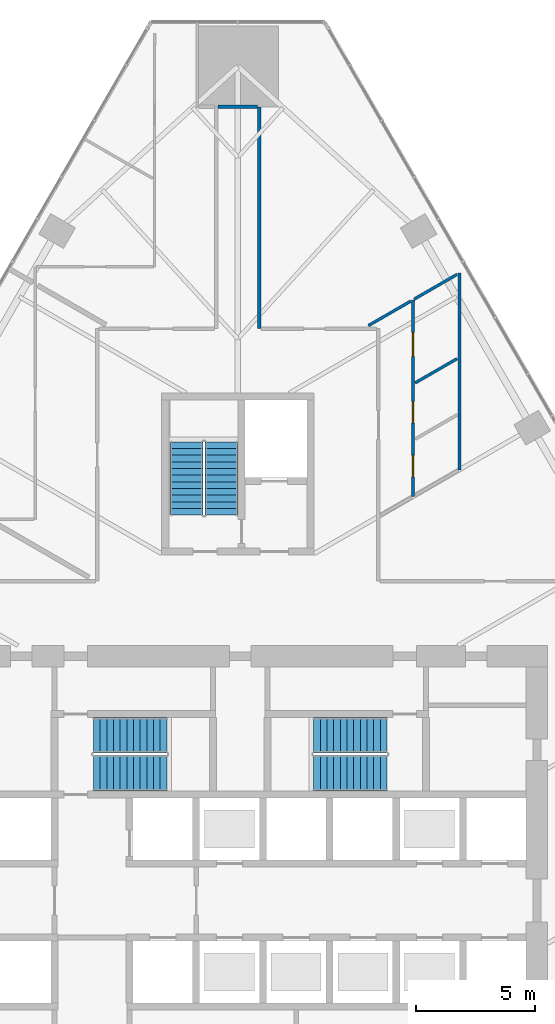
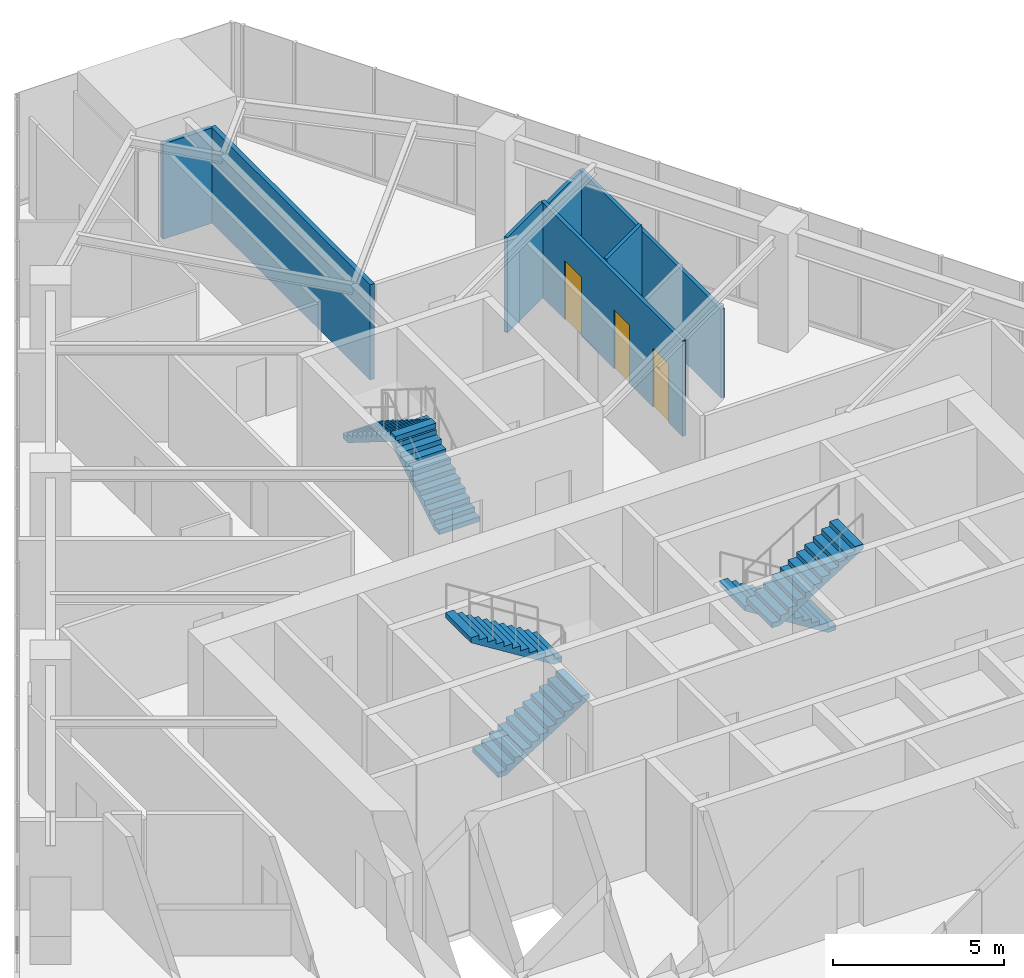
# One storey, part 24 of 26: 7 walls, 6 stair flights, 3 doors, 3 openings, 3 elements without a shape of their own.
"""IFC4 building model written with IfcOpenShell, lengths in metres."""

from ifc_helpers import new_model, si_unit, direction, frame, frame_2d, origin, place, context, subcontext, project, spatial, polyline, rectangle, outline, extrude, material, layer, layer_set, type_object, element, fill, aggregate, save


model = new_model("IFC4")

# Units and contexts
model_context = context("Model", 3, precision=1e-05, world=origin(), true_north=direction((0.0, 1.0)))
body_context = subcontext(model_context, "Body", "Model", "MODEL_VIEW")
ifc_project = project(units=[si_unit("LENGTHUNIT", "METRE"), si_unit("AREAUNIT", "SQUARE_METRE"), si_unit("VOLUMEUNIT", "CUBIC_METRE"), si_unit("PLANEANGLEUNIT", "RADIAN"), si_unit("MASSUNIT", "GRAM", prefix="KILO")], contexts=[model_context])

# Site, building, storey
site_placement = place(None, origin())
site = spatial("IfcSite", under=ifc_project, at=site_placement, CompositionType="ELEMENT")
building_placement = place(site_placement, origin())
building = spatial("IfcBuilding", under=site, at=building_placement, Name="Firuza Gate Tower and Library", CompositionType="ELEMENT")
storey_placement = place(building_placement, frame((0.0, 0.0, 65.199951171875)))
storey = spatial("IfcBuildingStorey", under=building, at=storey_placement, Name="L14", CompositionType="ELEMENT", Elevation=65.199951171875)

# Walls
ifc_material_1 = material(Name="Gypsum board partition")
ifc_layer_1 = layer(ifc_material_1, 0.14990234375)
ifc_layer_set_1 = layer_set([ifc_layer_1], Name="Corridor wall 150 double board on steel studs")
wall_type_1 = type_object("IfcWallType", Name="Corridor wall 150 double board on steel studs", PredefinedType="PARTITIONING", material=ifc_layer_set_1)
wall_1_placement = place(storey_placement, frame((75.89990234375, 97.300048828125, 0.0), z_axis=(0.0, 0.0, 1.0), x_axis=(0.0, 1.0, 0.0)))
element("IfcWall", 1, at=wall_1_placement, inside=storey, type_object=wall_type_1, Name="f:L14:w036", PredefinedType="PARTITIONING", context=body_context, shape_type="SweptSolid", body=[
    extrude(rectangle(XDim=9.30615234375, YDim=0.14990234375, at=frame_2d((4.653076171875, 0.0))), origin(), (0.0, 0.0, 1.0), 3.400146484375),
])
wall_2_placement = place(storey_placement, frame((74.175048828125, 106.60693359375, 0.0), z_axis=(0.0, 0.0, 1.0), x_axis=(1.0, 0.0, 0.0)))
element("IfcWall", 2, at=wall_2_placement, inside=storey, type_object=wall_type_1, Name="f:L14:w068", PredefinedType="PARTITIONING", context=body_context, shape_type="SweptSolid", body=[
    extrude(rectangle(XDim=1.6494140625, YDim=0.14990234375, at=frame_2d((0.82470703125, 0.0))), origin(), (0.0, 0.0, 1.0), 3.39697265625),
])
ifc_material_2 = material(Name="Gypsum board partition")
ifc_layer_2 = layer(ifc_material_2, 0.1201171875)
ifc_layer_set_2 = layer_set([ifc_layer_2], Name="Wet-area partition 120 moisture-resistant board")
wall_type_2 = type_object("IfcWallType", Name="Wet-area partition 120 moisture-resistant board", PredefinedType="PARTITIONING", material=ifc_layer_set_2)
wall_3_placement = place(storey_placement, frame((82.4443359375, 95.0263671875, 0.0), z_axis=(0.0, 0.0, 1.0), x_axis=(0.866017611601, 0.500013496215, 0.0)))
element("IfcWall", 3, at=wall_3_placement, inside=storey, type_object=wall_type_2, Name="f:L14:w024", PredefinedType="PARTITIONING", context=body_context, shape_type="SweptSolid", body=[
    extrude(rectangle(XDim=2.033203125, YDim=0.1201171875, at=frame_2d((1.0166015625, 0.0))), origin(), (0.0, 0.0, 1.0), 3.400146484375),
])
wall_4_placement = place(storey_placement, frame((80.4794921875, 97.429931640625, 0.0), z_axis=(0.0, 0.0, 1.0), x_axis=(0.866057052383, 0.499945179012, 0.0)))
element("IfcWall", 4, at=wall_4_placement, inside=storey, type_object=wall_type_2, Name="f:L14:w025", PredefinedType="PARTITIONING", context=body_context, shape_type="SweptSolid", body=[
    extrude(rectangle(XDim=2.055908203125, YDim=0.1201171875, at=frame_2d((1.02783203125, 0.0))), origin(), (0.0, 0.0, 1.0), 3.400146484375),
])
wall_5_placement = place(storey_placement, frame((84.300048828125, 91.37890625, 0.0), z_axis=(0.0, 0.0, 1.0), x_axis=(0.0, 1.0, 0.0)))
element("IfcWall", 5, at=wall_5_placement, inside=storey, type_object=wall_type_2, Name="f:L14:w031", PredefinedType="PARTITIONING", context=body_context, shape_type="SweptSolid", body=[
    extrude(rectangle(XDim=8.255126953125, YDim=0.1201171875, at=frame_2d((4.12744140625, 0.0))), origin(), (0.0, 0.0, 1.0), 3.1650390625),
])

# Wall, openings, doors
wall_6_placement = place(storey_placement, frame((82.35009765625, 90.2529296875, 0.0), z_axis=(0.0, 0.0, 1.0), x_axis=(0.0, 1.0, 0.0)))
wall_6 = element("IfcWall", 6, at=wall_6_placement, inside=storey, type_object=wall_type_2, Name="f:L14:w032", PredefinedType="PARTITIONING", context=body_context, shape_type="SweptSolid", body=[
    extrude(rectangle(XDim=8.257080078125, YDim=0.1201171875, at=frame_2d((4.12841796875, 0.0))), origin(), (0.0, 0.0, 1.0), 3.400146484375),
])
opening_1_placement = place(wall_6_placement, frame((0.831298828125, 0.0, 0.0)))
opening_1 = element("IfcOpeningElement", 7, at=opening_1_placement, cuts=wall_6, Name="Opening L14-22", PredefinedType="OPENING", context=body_context, shape_type="SweptSolid", body=[
    extrude(rectangle(XDim=0.89990234375, YDim=2.10009765625, at=frame_2d((0.449951171875, 1.050048828125))), frame((0.0, 0.070068359375, 0.0), z_axis=(0.0, -1.0, 0.0), x_axis=(1.0, 0.0, 0.0)), (0.0, 0.0, 1.0), 0.14013671875),
])
opening_2_placement = place(wall_6_placement, frame((3.0888671875, 0.0, 0.0)))
opening_2 = element("IfcOpeningElement", 8, at=opening_2_placement, cuts=wall_6, Name="Opening L14-23", PredefinedType="OPENING", context=body_context, shape_type="SweptSolid", body=[
    extrude(rectangle(XDim=0.89990234375, YDim=2.10009765625, at=frame_2d((0.449951171875, 1.050048828125))), frame((0.0, 0.070068359375, 0.0), z_axis=(0.0, -1.0, 0.0), x_axis=(1.0, 0.0, 0.0)), (0.0, 0.0, 1.0), 0.14013671875),
])
opening_3_placement = place(wall_6_placement, frame((5.88623046875, 0.0, 0.0)))
opening_3 = element("IfcOpeningElement", 9, at=opening_3_placement, cuts=wall_6, Name="Opening L14-24", PredefinedType="OPENING", context=body_context, shape_type="SweptSolid", body=[
    extrude(rectangle(XDim=1.0, YDim=2.10009765625, at=frame_2d((0.5, 1.050048828125))), frame((0.0, 0.070068359375, 0.0), z_axis=(0.0, -1.0, 0.0), x_axis=(1.0, 0.0, 0.0)), (0.0, 0.0, 1.0), 0.14013671875),
])
ifc_material_3 = material(Name="Timber door", Category="wood")
door_type_1 = type_object("IfcDoorType", Name="Door 1000 x 2100 timber leaf", OperationType="NOTDEFINED", PredefinedType="DOOR", material=ifc_material_3)
door_1_placement = place(opening_3_placement, origin())
door_1 = element("IfcDoor", 10, at=door_1_placement, inside=storey, type_object=door_type_1, Name="f:L14:d024", OperationType="SINGLE_SWING_RIGHT", OverallHeight=2.10009765625, OverallWidth=1.0, PredefinedType="DOOR", context=body_context, shape_type="SweptSolid", body=[
    extrude(rectangle(XDim=1.0, YDim=2.10009765625, at=frame_2d((0.5, 1.050048828125))), frame((0.0, 0.02490234375, 0.0), z_axis=(0.0, -1.0, 0.0), x_axis=(1.0, 0.0, 0.0)), (0.0, 0.0, 1.0), 0.050048828125),
])
fill(opening_3, door_1)
ifc_material_4 = material(Name="Timber door", Category="wood")
door_type_2 = type_object("IfcDoorType", Name="Door 900 x 2100 timber leaf", OperationType="NOTDEFINED", PredefinedType="DOOR", material=ifc_material_4)
door_2_placement = place(opening_1_placement, origin())
door_2 = element("IfcDoor", 11, at=door_2_placement, inside=storey, type_object=door_type_2, Name="f:L14:d022", OperationType="SINGLE_SWING_RIGHT", OverallHeight=2.10009765625, OverallWidth=0.89990234375, PredefinedType="DOOR", context=body_context, shape_type="SweptSolid", body=[
    extrude(rectangle(XDim=0.89990234375, YDim=2.10009765625, at=frame_2d((0.449951171875, 1.050048828125))), frame((0.0, 0.02490234375, 0.0), z_axis=(0.0, -1.0, 0.0), x_axis=(1.0, 0.0, 0.0)), (0.0, 0.0, 1.0), 0.050048828125),
])
fill(opening_1, door_2)
door_3_placement = place(opening_2_placement, origin())
door_3 = element("IfcDoor", 12, at=door_3_placement, inside=storey, type_object=door_type_2, Name="f:L14:d023", OperationType="SINGLE_SWING_LEFT", OverallHeight=2.10009765625, OverallWidth=0.89990234375, PredefinedType="DOOR", context=body_context, shape_type="SweptSolid", body=[
    extrude(rectangle(XDim=0.89990234375, YDim=2.10009765625, at=frame_2d((0.449951171875, 1.050048828125))), frame((0.0, 0.02490234375, 0.0), z_axis=(0.0, -1.0, 0.0), x_axis=(1.0, 0.0, 0.0)), (0.0, 0.0, 1.0), 0.050048828125),
])
fill(opening_2, door_3)

# Wall
wall_7_placement = place(storey_placement, frame((82.39501953125, 98.535888671875, 0.0), z_axis=(0.0, 0.0, 1.0), x_axis=(0.866041603473, 0.499971940267, 0.0)))
element("IfcWall", 13, at=wall_7_placement, inside=storey, type_object=wall_type_2, Name="f:L14:w074", PredefinedType="PARTITIONING", context=body_context, shape_type="SweptSolid", body=[
    extrude(rectangle(XDim=2.08935546875, YDim=0.1201171875, at=frame_2d((1.044677734375, 0.0))), origin(), (0.0, 0.0, 1.0), 3.1650390625),
])

# Stair, stair flights
ifc_material_5 = material(Name="Concrete C35/45", Category="concrete")
stair_type_1 = type_object("IfcStairType", Name="Exit stair ST14", PredefinedType="HALF_TURN_STAIR", material=ifc_material_5)
placement = place(storey_placement, origin())
stair_1 = element("IfcStair", 14, at=placement, inside=storey, type_object=stair_type_1, Name="L14 Stair ST3", PredefinedType="HALF_TURN_STAIR")
ifc_material_6 = material(Name="Concrete C35/45", Category="concrete")
stair_flight_type_1 = type_object("IfcStairFlightType", Name="Stair flight 12 risers 175 width 1370", PredefinedType="STRAIGHT", material=ifc_material_6)
stair_flight_1_placement = place(storey_placement, frame((74.31494140625, 89.469970703125, 0.0), z_axis=(0.0, 0.0, 1.0), x_axis=(0.0, 1.0, 0.0)))
stair_flight_1 = element("IfcStairFlight", 15, at=stair_flight_1_placement, type_object=stair_flight_type_1, Name="ST3 flight 1", NumberOfRisers=12, NumberOfTreads=11, PredefinedType="STRAIGHT", RiserHeight=0.175, TreadLength=0.28, context=body_context, shape_type="SweptSolid", body=[
    extrude(outline(polyline([(0.0, 0.0), (0.0, 0.175048828125), (0.280029296875, 0.175048828125), (0.280029296875, 0.35009765625), (0.56005859375, 0.35009765625), (0.56005859375, 0.52490234375), (0.840087890625, 0.52490234375), (0.840087890625, 0.699951171875), (1.1201171875, 0.699951171875), (1.1201171875, 0.875), (1.39990234375, 0.875), (1.39990234375, 1.050048828125), (1.679931640625, 1.050048828125), (1.679931640625, 1.22509765625), (1.9599609375, 1.22509765625), (1.9599609375, 1.39990234375), (2.239990234375, 1.39990234375), (2.239990234375, 1.574951171875), (2.52001953125, 1.574951171875), (2.52001953125, 1.75), (2.800048828125, 1.75), (2.800048828125, 1.925048828125), (3.080078125, 1.925048828125), (3.080078125, 2.10009765625), (3.080078125, 1.748291015625), (0.28271484375, 0.0), (0.0, 0.0)])), frame((0.0, 0.68505859375, 0.0), z_axis=(0.0, -1.0, 0.0), x_axis=(1.0, 0.0, 0.0)), (0.0, 0.0, 1.0), 1.3701171875),
])
stair_flight_2_placement = place(storey_placement, frame((72.844970703125, 92.550048828125, 2.10009765625), z_axis=(0.0, 0.0, 1.0), x_axis=(0.0, -1.0, 0.0)))
stair_flight_2 = element("IfcStairFlight", 16, at=stair_flight_2_placement, type_object=stair_flight_type_1, Name="ST3 flight 2", NumberOfRisers=12, NumberOfTreads=11, PredefinedType="STRAIGHT", RiserHeight=0.175, TreadLength=0.28, context=body_context, shape_type="SweptSolid", body=[
    extrude(outline(polyline([(0.0, 0.0), (0.0, 0.175048828125), (0.280029296875, 0.175048828125), (0.280029296875, 0.35009765625), (0.56005859375, 0.35009765625), (0.56005859375, 0.52490234375), (0.840087890625, 0.52490234375), (0.840087890625, 0.699951171875), (1.1201171875, 0.699951171875), (1.1201171875, 0.875), (1.39990234375, 0.875), (1.39990234375, 1.050048828125), (1.679931640625, 1.050048828125), (1.679931640625, 1.22509765625), (1.9599609375, 1.22509765625), (1.9599609375, 1.39990234375), (2.239990234375, 1.39990234375), (2.239990234375, 1.574951171875), (2.52001953125, 1.574951171875), (2.52001953125, 1.75), (2.800048828125, 1.75), (2.800048828125, 1.925048828125), (3.080078125, 1.925048828125), (3.080078125, 2.10009765625), (3.080078125, 1.748291015625), (0.28271484375, 0.0), (0.0, 0.0)])), frame((0.0, 0.68505859375, 0.0), z_axis=(0.0, -1.0, 0.0), x_axis=(1.0, 0.0, 0.0)), (0.0, 0.0, 1.0), 1.3701171875),
])
aggregate(stair_1, [stair_flight_1, stair_flight_2])

ifc_material_7 = material(Name="Concrete C35/45", Category="concrete")
stair_type_2 = type_object("IfcStairType", Name="Exit stair ST5", PredefinedType="HALF_TURN_STAIR", material=ifc_material_7)
stair_2 = element("IfcStair", 17, at=placement, inside=storey, type_object=stair_type_2, Name="L14 Stair ST1", PredefinedType="HALF_TURN_STAIR")
ifc_material_8 = material(Name="Concrete C35/45", Category="concrete")
stair_flight_type_2 = type_object("IfcStairFlightType", Name="Stair flight 12 risers 175 width 1490", PredefinedType="STRAIGHT", material=ifc_material_8)
stair_flight_3_placement = place(storey_placement, frame((68.93994140625, 78.64501953125, 0.0), z_axis=(0.0, 0.0, 1.0), x_axis=(1.0, 0.0, 0.0)))
stair_flight_3 = element("IfcStairFlight", 18, at=stair_flight_3_placement, type_object=stair_flight_type_2, Name="ST1 flight 1", NumberOfRisers=12, NumberOfTreads=11, PredefinedType="STRAIGHT", RiserHeight=0.175, TreadLength=0.28, context=body_context, shape_type="SweptSolid", body=[
    extrude(outline(polyline([(0.0, 0.0), (0.0, 0.175048828125), (0.280029296875, 0.175048828125), (0.280029296875, 0.35009765625), (0.56005859375, 0.35009765625), (0.56005859375, 0.52490234375), (0.840087890625, 0.52490234375), (0.840087890625, 0.699951171875), (1.1201171875, 0.699951171875), (1.1201171875, 0.875), (1.39990234375, 0.875), (1.39990234375, 1.050048828125), (1.679931640625, 1.050048828125), (1.679931640625, 1.22509765625), (1.9599609375, 1.22509765625), (1.9599609375, 1.39990234375), (2.239990234375, 1.39990234375), (2.239990234375, 1.574951171875), (2.52001953125, 1.574951171875), (2.52001953125, 1.75), (2.800048828125, 1.75), (2.800048828125, 1.925048828125), (3.080078125, 1.925048828125), (3.080078125, 2.10009765625), (3.080078125, 1.748291015625), (0.28271484375, 0.0), (0.0, 0.0)])), frame((0.0, 0.7451171875, 0.0), z_axis=(0.0, -1.0, 0.0), x_axis=(1.0, 0.0, 0.0)), (0.0, 0.0, 1.0), 1.489990234375),
])
stair_flight_4_placement = place(storey_placement, frame((72.02001953125, 80.235107421875, 2.10009765625), z_axis=(0.0, 0.0, 1.0), x_axis=(-1.0, 0.0, 0.0)))
stair_flight_4 = element("IfcStairFlight", 19, at=stair_flight_4_placement, type_object=stair_flight_type_2, Name="ST1 flight 2", NumberOfRisers=12, NumberOfTreads=11, PredefinedType="STRAIGHT", RiserHeight=0.175, TreadLength=0.28, context=body_context, shape_type="SweptSolid", body=[
    extrude(outline(polyline([(0.0, 0.0), (0.0, 0.175048828125), (0.280029296875, 0.175048828125), (0.280029296875, 0.35009765625), (0.56005859375, 0.35009765625), (0.56005859375, 0.52490234375), (0.840087890625, 0.52490234375), (0.840087890625, 0.699951171875), (1.1201171875, 0.699951171875), (1.1201171875, 0.875), (1.39990234375, 0.875), (1.39990234375, 1.050048828125), (1.679931640625, 1.050048828125), (1.679931640625, 1.22509765625), (1.9599609375, 1.22509765625), (1.9599609375, 1.39990234375), (2.239990234375, 1.39990234375), (2.239990234375, 1.574951171875), (2.52001953125, 1.574951171875), (2.52001953125, 1.75), (2.800048828125, 1.75), (2.800048828125, 1.925048828125), (3.080078125, 1.925048828125), (3.080078125, 2.10009765625), (3.080078125, 1.748291015625), (0.28271484375, 0.0), (0.0, 0.0)])), frame((0.0, 0.7451171875, 0.0), z_axis=(0.0, -1.0, 0.0), x_axis=(1.0, 0.0, 0.0)), (0.0, 0.0, 1.0), 1.489990234375),
])
aggregate(stair_2, [stair_flight_3, stair_flight_4])

stair_3 = element("IfcStair", 20, at=placement, inside=storey, type_object=stair_type_2, Name="L14 Stair ST2", PredefinedType="HALF_TURN_STAIR")
stair_flight_5_placement = place(storey_placement, frame((81.260009765625, 80.235107421875, 0.0), z_axis=(0.0, 0.0, 1.0), x_axis=(-1.0, 0.0, 0.0)))
stair_flight_5 = element("IfcStairFlight", 21, at=stair_flight_5_placement, type_object=stair_flight_type_2, Name="ST2 flight 1", NumberOfRisers=12, NumberOfTreads=11, PredefinedType="STRAIGHT", RiserHeight=0.175, TreadLength=0.28, context=body_context, shape_type="SweptSolid", body=[
    extrude(outline(polyline([(0.0, 0.0), (0.0, 0.175048828125), (0.280029296875, 0.175048828125), (0.280029296875, 0.35009765625), (0.56005859375, 0.35009765625), (0.56005859375, 0.52490234375), (0.840087890625, 0.52490234375), (0.840087890625, 0.699951171875), (1.1201171875, 0.699951171875), (1.1201171875, 0.875), (1.39990234375, 0.875), (1.39990234375, 1.050048828125), (1.679931640625, 1.050048828125), (1.679931640625, 1.22509765625), (1.9599609375, 1.22509765625), (1.9599609375, 1.39990234375), (2.239990234375, 1.39990234375), (2.239990234375, 1.574951171875), (2.52001953125, 1.574951171875), (2.52001953125, 1.75), (2.800048828125, 1.75), (2.800048828125, 1.925048828125), (3.080078125, 1.925048828125), (3.080078125, 2.10009765625), (3.080078125, 1.748291015625), (0.28271484375, 0.0), (0.0, 0.0)])), frame((0.0, 0.7451171875, 0.0), z_axis=(0.0, -1.0, 0.0), x_axis=(1.0, 0.0, 0.0)), (0.0, 0.0, 1.0), 1.489990234375),
])
stair_flight_6_placement = place(storey_placement, frame((78.179931640625, 78.64501953125, 2.10009765625), z_axis=(0.0, 0.0, 1.0), x_axis=(1.0, 0.0, 0.0)))
stair_flight_6 = element("IfcStairFlight", 22, at=stair_flight_6_placement, type_object=stair_flight_type_2, Name="ST2 flight 2", NumberOfRisers=12, NumberOfTreads=11, PredefinedType="STRAIGHT", RiserHeight=0.175, TreadLength=0.28, context=body_context, shape_type="SweptSolid", body=[
    extrude(outline(polyline([(0.0, 0.0), (0.0, 0.175048828125), (0.280029296875, 0.175048828125), (0.280029296875, 0.35009765625), (0.56005859375, 0.35009765625), (0.56005859375, 0.52490234375), (0.840087890625, 0.52490234375), (0.840087890625, 0.699951171875), (1.1201171875, 0.699951171875), (1.1201171875, 0.875), (1.39990234375, 0.875), (1.39990234375, 1.050048828125), (1.679931640625, 1.050048828125), (1.679931640625, 1.22509765625), (1.9599609375, 1.22509765625), (1.9599609375, 1.39990234375), (2.239990234375, 1.39990234375), (2.239990234375, 1.574951171875), (2.52001953125, 1.574951171875), (2.52001953125, 1.75), (2.800048828125, 1.75), (2.800048828125, 1.925048828125), (3.080078125, 1.925048828125), (3.080078125, 2.10009765625), (3.080078125, 1.748291015625), (0.28271484375, 0.0), (0.0, 0.0)])), frame((0.0, 0.7451171875, 0.0), z_axis=(0.0, -1.0, 0.0), x_axis=(1.0, 0.0, 0.0)), (0.0, 0.0, 1.0), 1.489990234375),
])
aggregate(stair_3, [stair_flight_5, stair_flight_6])

save(model, "model.ifc")
